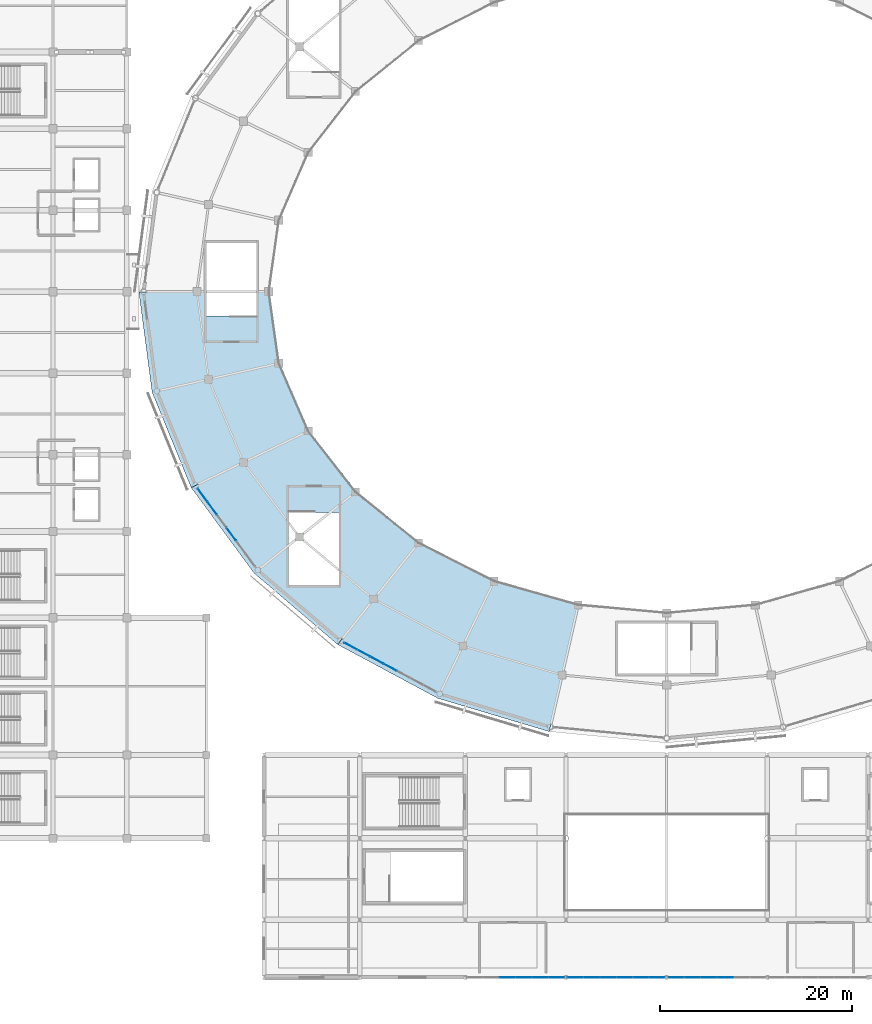
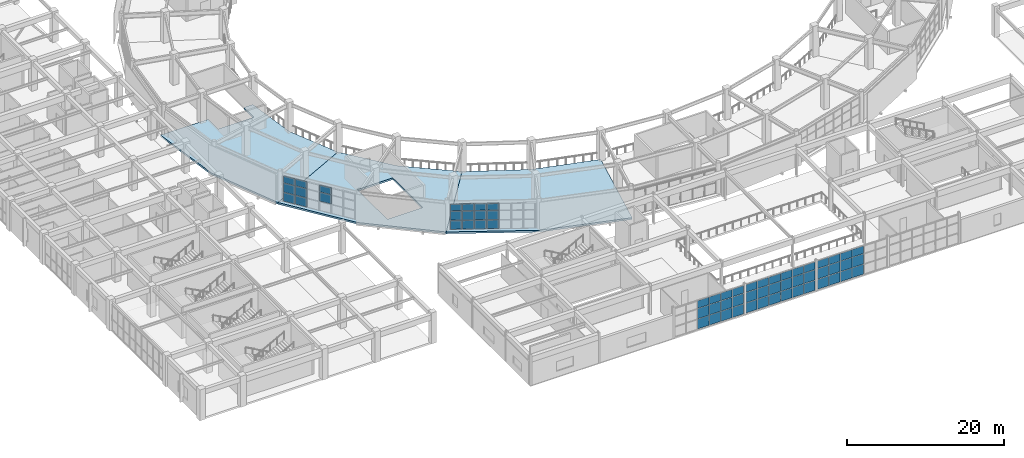
# One storey, part 67 of 112: 62 plates, 3 slabs, 5 elements without a shape of their own.
"""IFC4 building model written with IfcOpenShell, lengths in metres."""

import ifcopenshell
import ifcopenshell.guid

model = None  # the IFC model being written
_history = None  # IfcOwnerHistory: only IFC2X3 demands one
_inside = {}  # id of a spatial element -> (the spatial element, [elements in it])
_under = {}  # id of a project, library or spatial element -> (it, [spatial elements below it])
_declared = {}  # id of a project -> (the project, [libraries it declares])
_typed = {}  # id of a type object -> (the type object, [elements of that type])
_made_of = {}  # id of a material, layer set ... -> (it, [elements and type objects made of it])


def new_model(schema):
    """Start an empty IFC model of exactly this schema.

    Asked for "IFC4X3", IfcOpenShell would pick the latest addendum, in which some entities
    have other attributes; the version numbers below select the first issue.
    IFC2X3 requires an IfcOwnerHistory on every rooted entity: one is made here for all.
    """
    global model, _history
    if schema == "IFC4X3":
        model = ifcopenshell.file(schema_version=(4, 3, 0, 0))
    else:
        model = ifcopenshell.file(schema=schema)
    _inside.clear()
    _under.clear()
    _declared.clear()
    _typed.clear()
    _made_of.clear()
    _history = None
    if model.schema == "IFC2X3":
        org = make("IfcOrganization", Name="unknown")
        user = make(
            "IfcPersonAndOrganization",
            ThePerson=make("IfcPerson", FamilyName="unknown"),
            TheOrganization=org,
        )
        app = make(
            "IfcApplication",
            ApplicationDeveloper=org,
            Version="unknown",
            ApplicationFullName="unknown",
            ApplicationIdentifier="unknown",
        )
        _history = make(
            "IfcOwnerHistory",
            OwningUser=user,
            OwningApplication=app,
            ChangeAction="ADDED",
            CreationDate=0,
        )
    return model


def make(cls, **values):
    """One entity of the class cls with the attributes given. An attribute that is None is left unset."""
    return model.create_entity(
        cls, **{name: value for name, value in values.items() if value is not None}
    )


def rooted(cls, **values):
    """An entity with a GlobalId (a new one), such as an element, a storey or a relation."""
    return make(cls, GlobalId=ifcopenshell.guid.new(), OwnerHistory=_history, **values)


def si_unit(unit_type, name, prefix=None):
    """IfcSIUnit, for example si_unit("LENGTHUNIT", "METRE", prefix="MILLI")."""
    return make("IfcSIUnit", UnitType=unit_type, Prefix=prefix, Name=name)


def assignment(units):
    """IfcUnitAssignment: the units of a project."""
    return None if units is None else make("IfcUnitAssignment", Units=units)


def point(xyz):
    """IfcCartesianPoint."""
    return None if xyz is None else make("IfcCartesianPoint", Coordinates=xyz)


def direction(xyz):
    """IfcDirection."""
    return None if xyz is None else make("IfcDirection", DirectionRatios=xyz)


def frame(location, z_axis=None, x_axis=None):
    """IfcAxis2Placement3D, a coordinate frame: its origin and axes. An axis left out is left unset."""
    return make(
        "IfcAxis2Placement3D",
        Location=point(location),
        Axis=direction(z_axis),
        RefDirection=direction(x_axis),
    )


def frame_2d(location, x_axis=None):
    """IfcAxis2Placement2D, a coordinate frame in the plane: its origin and x axis."""
    return make(
        "IfcAxis2Placement2D", Location=point(location), RefDirection=direction(x_axis)
    )


def origin():
    """The frame at (0, 0, 0) with its axes left unset."""
    return frame((0.0, 0.0, 0.0))


def origin_2d():
    """The frame at (0, 0) in the plane with its x axis left unset."""
    return frame_2d((0.0, 0.0))


def place(relative_to, where):
    """IfcLocalPlacement: puts the frame where relative to a parent placement (None: the world)."""
    return make(
        "IfcLocalPlacement", PlacementRelTo=relative_to, RelativePlacement=where
    )


def context(
    kind, dimensions, precision=None, world=None, true_north=None, identifier=None
):
    """IfcGeometricRepresentationContext, for example the 3D "Model" context."""
    return make(
        "IfcGeometricRepresentationContext",
        ContextIdentifier=identifier,
        ContextType=kind,
        CoordinateSpaceDimension=dimensions,
        Precision=precision,
        WorldCoordinateSystem=world,
        TrueNorth=true_north,
    )


def subcontext(parent, identifier, kind, view, scale=None):
    """IfcGeometricRepresentationSubContext, for example "Body" below "Model"."""
    return make(
        "IfcGeometricRepresentationSubContext",
        ContextIdentifier=identifier,
        ContextType=kind,
        ParentContext=parent,
        TargetScale=scale,
        TargetView=view,
    )


def project(units=None, contexts=None):
    """IfcProject with its units and contexts."""
    return rooted(
        "IfcProject",
        Name="project",
        RepresentationContexts=contexts,
        UnitsInContext=assignment(units),
    )


def spatial(cls, under=None, at=None, **own):
    """A site, building, storey or space (cls), placed at a placement, below another one or the project."""
    s = rooted(cls, ObjectPlacement=at, **own)
    if under is not None:
        _under.setdefault(under.id(), (under, []))[1].append(s)
    return s


def polyline(points):
    """IfcPolyline through the points."""
    return make("IfcPolyline", Points=[point(p) for p in points])


def profile(cls, at=None, kind="AREA", **sizes):
    """A parametric profile (cls). Its sizes go by their IFC names, for example OverallWidth=200.0."""
    return make(cls, ProfileType=kind, Position=at, **sizes)


def rectangle(**sizes):
    """IfcRectangleProfileDef."""
    return profile("IfcRectangleProfileDef", **sizes)


def outline(outer, holes=None, kind="AREA"):
    """IfcArbitraryClosedProfileDef: a profile drawn as a closed curve; with holes, ...WithVoids."""
    if holes is None:
        return make("IfcArbitraryClosedProfileDef", ProfileType=kind, OuterCurve=outer)
    return make(
        "IfcArbitraryProfileDefWithVoids",
        ProfileType=kind,
        OuterCurve=outer,
        InnerCurves=holes,
    )


def extrude(swept, where, along, depth):
    """IfcExtrudedAreaSolid: the profile swept, set in the frame where, extruded along a direction by depth."""
    return make(
        "IfcExtrudedAreaSolid",
        SweptArea=swept,
        Position=where,
        ExtrudedDirection=direction(along),
        Depth=depth,
    )


def shape(context_of_items, identifier, shape_type, items):
    """IfcShapeRepresentation: the items that make up one representation, for example the "Body"."""
    return make(
        "IfcShapeRepresentation",
        ContextOfItems=context_of_items,
        RepresentationIdentifier=identifier,
        RepresentationType=shape_type,
        Items=items,
    )


def material(Name=None, Category=None):
    """IfcMaterial."""
    return make("IfcMaterial", Name=Name, Category=Category)


def layer(
    of_material, thickness, ventilated=None, Name=None, Category=None, Priority=None
):
    """IfcMaterialLayer: one layer of a wall or slab, of a material (None: an air gap)."""
    return make(
        "IfcMaterialLayer",
        Material=of_material,
        LayerThickness=thickness,
        IsVentilated=ventilated,
        Name=Name,
        Category=Category,
        Priority=Priority,
    )


def layer_set(layers, Name=None):
    """IfcMaterialLayerSet."""
    return make("IfcMaterialLayerSet", MaterialLayers=layers, LayerSetName=Name)


def made_of(thing, what):
    """Note that an element or type object is made of a material, layer set ...; save() writes the relation."""
    if what is not None:
        _made_of.setdefault(what.id(), (what, []))[1].append(thing)
    return thing


def type_object(cls, material=None, **own):
    """A type object (cls), such as IfcWallType, which elements share."""
    return made_of(rooted(cls, **own), material)


def element(
    cls,
    number,
    at=None,
    inside=None,
    cuts=None,
    type_object=None,
    material=None,
    context=None,
    identifier="Body",
    shape_type=None,
    held_by="IfcProductDefinitionShape",
    body=None,
    shapes=None,
    **own,
):
    """One element of the class cls, such as IfcWall. Its Tag is "e" and its number.

    at: its placement. inside: the storey or other place that contains it. cuts: it is an
    opening in that element (IfcRelVoidsElement). A single representation is given by context,
    identifier, shape_type and body (its items); several are given by shapes. held_by: the class
    of the entity that holds the representations. save() writes the other relations.
    """
    e = rooted(cls, Tag="e%d" % number, ObjectPlacement=at, **own)
    if body is not None:
        shapes = [shape(context, identifier, shape_type, body)]
    if shapes is not None:
        e.Representation = make(held_by, Representations=shapes)
    if inside is not None:
        _inside.setdefault(inside.id(), (inside, []))[1].append(e)
    if cuts is not None:
        rooted(
            "IfcRelVoidsElement", RelatingBuildingElement=cuts, RelatedOpeningElement=e
        )
    if type_object is not None:
        _typed.setdefault(type_object.id(), (type_object, []))[1].append(e)
    return made_of(e, material)


def aggregate(whole, parts):
    """IfcRelAggregates: a whole, such as a stair, and the parts it consists of."""
    return rooted("IfcRelAggregates", RelatingObject=whole, RelatedObjects=parts)


def save(model, path):
    """Write the relations noted so far, then the file.

    IfcRelAggregates (storeys below a building ...), IfcRelContainedInSpatialStructure (elements
    in a storey), IfcRelDefinesByType, IfcRelAssociatesMaterial and IfcRelDeclares: one each for
    every whole, place, type object, material and project.
    """
    for whole, parts in _under.values():
        aggregate(whole, parts)
    for where, things in _inside.values():
        rooted(
            "IfcRelContainedInSpatialStructure",
            RelatedElements=things,
            RelatingStructure=where,
        )
    for kind, things in _typed.values():
        rooted("IfcRelDefinesByType", RelatedObjects=things, RelatingType=kind)
    for what, things in _made_of.values():
        rooted("IfcRelAssociatesMaterial", RelatedObjects=things, RelatingMaterial=what)
    for by, libraries in _declared.values():
        rooted("IfcRelDeclares", RelatingContext=by, RelatedDefinitions=libraries)
    model.write(path)


model = new_model("IFC4")

# Units and contexts
model_context = context("Model", 3, precision=1e-05, world=origin(), true_north=direction((0.0, 1.0)))
body_context = subcontext(model_context, "Body", "Model", "MODEL_VIEW")
ifc_project = project(units=[si_unit("LENGTHUNIT", "METRE"), si_unit("AREAUNIT", "SQUARE_METRE"), si_unit("VOLUMEUNIT", "CUBIC_METRE"), si_unit("PLANEANGLEUNIT", "RADIAN"), si_unit("MASSUNIT", "GRAM", prefix="KILO")], contexts=[model_context])

# Site, building, storey
site_placement = place(None, origin())
site = spatial("IfcSite", under=ifc_project, at=site_placement, CompositionType="ELEMENT")
building_placement = place(site_placement, origin())
building = spatial("IfcBuilding", under=site, at=building_placement, Name="Cuetzalor Civic Arena", CompositionType="ELEMENT")
storey_placement = place(building_placement, frame((0.0, 0.0, 11.39990234375)))
storey = spatial("IfcBuildingStorey", under=building, at=storey_placement, Name="L02", CompositionType="ELEMENT", Elevation=11.39990234375)

# Curtain wall, plates
ifc_material_1 = material(Name="Anodised dark bronze aluminium and low-E solar glass", Category="aluminium")
curtain_wall_type_1 = type_object("IfcCurtainWallType", Name="UnitisedCW_10150x4050", PredefinedType="USERDEFINED", material=ifc_material_1)
curtain_wall_1_placement = place(storey_placement, origin())
curtain_wall_1 = element("IfcCurtainWall", 1, at=curtain_wall_1_placement, inside=storey, type_object=curtain_wall_type_1, Name="Drum Triangle Foyer Curtain Wall L02-039", ObjectType="UNITISED CURTAIN WALL", PredefinedType="USERDEFINED")
ifc_material_2 = material(Name="Acoustic laminated solar control glass", Category="glass")
ifc_layer_1 = layer(ifc_material_2, 0.0439453125)
ifc_layer_set_1 = layer_set([ifc_layer_1], Name="Acoustic laminated solar control glass")
plate_type_1 = type_object("IfcPlateType", Name="AcousticTripleGlazedPanel_44", PredefinedType="CURTAIN_PANEL", material=ifc_layer_set_1)
plate_1_placement = place(storey_placement, frame((-45.397216796875, -25.291015625, 1.491455078125), z_axis=(0.0, 0.0, 1.0), x_axis=(-0.59292931222, 0.805254513002, 0.0)))
plate_1 = element("IfcPlate", 2, at=plate_1_placement, type_object=plate_type_1, Name="CW-12 panel 3.2", PredefinedType="CURTAIN_PANEL", context=body_context, shape_type="SweptSolid", body=[
    extrude(rectangle(XDim=1.625732421875, YDim=0.0439453125, at=origin_2d()), origin(), (0.0, 0.0, 1.0), 1.39404296875),
])
plate_2_placement = place(storey_placement, frame((-45.397216796875, -25.291015625, 2.950439453125), z_axis=(0.0, 0.0, 1.0), x_axis=(-0.59292931222, 0.805254513002, 0.0)))
plate_2 = element("IfcPlate", 3, at=plate_2_placement, type_object=plate_type_1, Name="CW-12 panel 3.3", PredefinedType="CURTAIN_PANEL", context=body_context, shape_type="SweptSolid", body=[
    extrude(rectangle(XDim=1.625732421875, YDim=0.0439453125, at=origin_2d()), origin(), (0.0, 0.0, 1.0), 1.03759765625),
])
plate_3_placement = place(storey_placement, frame((-47.402099609375, -22.568359375, 0.06494140625), z_axis=(0.0, 0.0, 1.0), x_axis=(-0.59292931222, 0.805254513002, 0.0)))
plate_3 = element("IfcPlate", 4, at=plate_3_placement, type_object=plate_type_1, Name="CW-12 panel 5.1", PredefinedType="CURTAIN_PANEL", context=body_context, shape_type="SweptSolid", body=[
    extrude(rectangle(XDim=1.625732421875, YDim=0.0439453125, at=origin_2d()), origin(), (0.0, 0.0, 1.0), 1.361572265625),
])
plate_4_placement = place(storey_placement, frame((-47.402099609375, -22.568359375, 1.491455078125), z_axis=(0.0, 0.0, 1.0), x_axis=(-0.59292931222, 0.805254513002, 0.0)))
plate_4 = element("IfcPlate", 5, at=plate_4_placement, type_object=plate_type_1, Name="CW-12 panel 5.2", PredefinedType="CURTAIN_PANEL", context=body_context, shape_type="SweptSolid", body=[
    extrude(rectangle(XDim=1.625732421875, YDim=0.0439453125, at=origin_2d()), origin(), (0.0, 0.0, 1.0), 1.39404296875),
])
plate_5_placement = place(storey_placement, frame((-47.402099609375, -22.568359375, 2.950439453125), z_axis=(0.0, 0.0, 1.0), x_axis=(-0.59292931222, 0.805254513002, 0.0)))
plate_5 = element("IfcPlate", 6, at=plate_5_placement, type_object=plate_type_1, Name="CW-12 panel 5.3", PredefinedType="CURTAIN_PANEL", context=body_context, shape_type="SweptSolid", body=[
    extrude(rectangle(XDim=1.625732421875, YDim=0.0439453125, at=origin_2d()), origin(), (0.0, 0.0, 1.0), 1.03759765625),
])
plate_6_placement = place(storey_placement, frame((-48.394775390625, -21.219970703125, 0.06494140625), z_axis=(0.0, 0.0, 1.0), x_axis=(-0.59292931222, 0.805254513002, 0.0)))
plate_6 = element("IfcPlate", 7, at=plate_6_placement, type_object=plate_type_1, Name="CW-12 panel 6.1", PredefinedType="CURTAIN_PANEL", context=body_context, shape_type="SweptSolid", body=[
    extrude(rectangle(XDim=1.59326171875, YDim=0.0439453125, at=origin_2d()), origin(), (0.0, 0.0, 1.0), 1.361572265625),
])
plate_7_placement = place(storey_placement, frame((-48.394775390625, -21.219970703125, 1.491455078125), z_axis=(0.0, 0.0, 1.0), x_axis=(-0.59292931222, 0.805254513002, 0.0)))
plate_7 = element("IfcPlate", 8, at=plate_7_placement, type_object=plate_type_1, Name="CW-12 panel 6.2", PredefinedType="CURTAIN_PANEL", context=body_context, shape_type="SweptSolid", body=[
    extrude(rectangle(XDim=1.59326171875, YDim=0.0439453125, at=origin_2d()), origin(), (0.0, 0.0, 1.0), 1.39404296875),
])
plate_8_placement = place(storey_placement, frame((-48.394775390625, -21.219970703125, 2.950439453125), z_axis=(0.0, 0.0, 1.0), x_axis=(-0.59292931222, 0.805254513002, 0.0)))
plate_8 = element("IfcPlate", 9, at=plate_8_placement, type_object=plate_type_1, Name="CW-12 panel 6.3", PredefinedType="CURTAIN_PANEL", context=body_context, shape_type="SweptSolid", body=[
    extrude(rectangle(XDim=1.59326171875, YDim=0.0439453125, at=origin_2d()), origin(), (0.0, 0.0, 1.0), 1.03759765625),
])
aggregate(curtain_wall_1, [plate_1, plate_2, plate_3, plate_4, plate_5, plate_6, plate_7, plate_8])

ifc_material_3 = material(Name="Anodised dark bronze aluminium and low-E solar glass", Category="aluminium")
curtain_wall_type_2 = type_object("IfcCurtainWallType", Name="UnitisedCW_10950x4050", PredefinedType="USERDEFINED", material=ifc_material_3)
curtain_wall_2_placement = place(storey_placement, origin())
curtain_wall_2 = element("IfcCurtainWall", 10, at=curtain_wall_2_placement, inside=storey, type_object=curtain_wall_type_2, Name="Drum Triangle Foyer Curtain Wall L02-040", ObjectType="UNITISED CURTAIN WALL", PredefinedType="USERDEFINED")
plate_9_placement = place(storey_placement, frame((-28.83984375, -39.167236328125, 0.06494140625), z_axis=(0.0, 0.0, 1.0), x_axis=(-0.881306344124, 0.472545371163, 0.0)))
plate_9 = element("IfcPlate", 11, at=plate_9_placement, type_object=plate_type_1, Name="CW-13 panel 4.1", PredefinedType="CURTAIN_PANEL", context=body_context, shape_type="SweptSolid", body=[
    extrude(rectangle(XDim=1.498779296875, YDim=0.0439453125, at=origin_2d()), origin(), (0.0, 0.0, 1.0), 1.361572265625),
])
plate_10_placement = place(storey_placement, frame((-28.83984375, -39.167236328125, 1.491455078125), z_axis=(0.0, 0.0, 1.0), x_axis=(-0.881306344124, 0.472545371163, 0.0)))
plate_10 = element("IfcPlate", 12, at=plate_10_placement, type_object=plate_type_1, Name="CW-13 panel 4.2", PredefinedType="CURTAIN_PANEL", context=body_context, shape_type="SweptSolid", body=[
    extrude(rectangle(XDim=1.498779296875, YDim=0.0439453125, at=origin_2d()), origin(), (0.0, 0.0, 1.0), 1.39404296875),
])
plate_11_placement = place(storey_placement, frame((-28.83984375, -39.167236328125, 2.950439453125), z_axis=(0.0, 0.0, 1.0), x_axis=(-0.881306344124, 0.472545371163, 0.0)))
plate_11 = element("IfcPlate", 13, at=plate_11_placement, type_object=plate_type_1, Name="CW-13 panel 4.3", PredefinedType="CURTAIN_PANEL", context=body_context, shape_type="SweptSolid", body=[
    extrude(rectangle(XDim=1.498779296875, YDim=0.0439453125, at=origin_2d()), origin(), (0.0, 0.0, 1.0), 1.03759765625),
])
plate_12_placement = place(storey_placement, frame((-30.218017578125, -38.42822265625, 0.06494140625), z_axis=(0.0, 0.0, 1.0), x_axis=(-0.881306344124, 0.472545371163, 0.0)))
plate_12 = element("IfcPlate", 14, at=plate_12_placement, type_object=plate_type_1, Name="CW-13 panel 5.1", PredefinedType="CURTAIN_PANEL", context=body_context, shape_type="SweptSolid", body=[
    extrude(rectangle(XDim=1.498779296875, YDim=0.0439453125, at=origin_2d()), origin(), (0.0, 0.0, 1.0), 1.361572265625),
])
plate_13_placement = place(storey_placement, frame((-30.218017578125, -38.42822265625, 1.491455078125), z_axis=(0.0, 0.0, 1.0), x_axis=(-0.881306344124, 0.472545371163, 0.0)))
plate_13 = element("IfcPlate", 15, at=plate_13_placement, type_object=plate_type_1, Name="CW-13 panel 5.2", PredefinedType="CURTAIN_PANEL", context=body_context, shape_type="SweptSolid", body=[
    extrude(rectangle(XDim=1.498779296875, YDim=0.0439453125, at=origin_2d()), origin(), (0.0, 0.0, 1.0), 1.39404296875),
])
plate_14_placement = place(storey_placement, frame((-30.218017578125, -38.42822265625, 2.950439453125), z_axis=(0.0, 0.0, 1.0), x_axis=(-0.881306344124, 0.472545371163, 0.0)))
plate_14 = element("IfcPlate", 16, at=plate_14_placement, type_object=plate_type_1, Name="CW-13 panel 5.3", PredefinedType="CURTAIN_PANEL", context=body_context, shape_type="SweptSolid", body=[
    extrude(rectangle(XDim=1.498779296875, YDim=0.0439453125, at=origin_2d()), origin(), (0.0, 0.0, 1.0), 1.03759765625),
])
plate_15_placement = place(storey_placement, frame((-31.59619140625, -37.689208984375, 0.06494140625), z_axis=(0.0, 0.0, 1.0), x_axis=(-0.881306344124, 0.472545371163, 0.0)))
plate_15 = element("IfcPlate", 17, at=plate_15_placement, type_object=plate_type_1, Name="CW-13 panel 6.1", PredefinedType="CURTAIN_PANEL", context=body_context, shape_type="SweptSolid", body=[
    extrude(rectangle(XDim=1.498779296875, YDim=0.0439453125, at=origin_2d()), origin(), (0.0, 0.0, 1.0), 1.361572265625),
])
plate_16_placement = place(storey_placement, frame((-31.59619140625, -37.689208984375, 1.491455078125), z_axis=(0.0, 0.0, 1.0), x_axis=(-0.881306344124, 0.472545371163, 0.0)))
plate_16 = element("IfcPlate", 18, at=plate_16_placement, type_object=plate_type_1, Name="CW-13 panel 6.2", PredefinedType="CURTAIN_PANEL", context=body_context, shape_type="SweptSolid", body=[
    extrude(rectangle(XDim=1.498779296875, YDim=0.0439453125, at=origin_2d()), origin(), (0.0, 0.0, 1.0), 1.39404296875),
])
plate_17_placement = place(storey_placement, frame((-31.59619140625, -37.689208984375, 2.950439453125), z_axis=(0.0, 0.0, 1.0), x_axis=(-0.881306344124, 0.472545371163, 0.0)))
plate_17 = element("IfcPlate", 19, at=plate_17_placement, type_object=plate_type_1, Name="CW-13 panel 6.3", PredefinedType="CURTAIN_PANEL", context=body_context, shape_type="SweptSolid", body=[
    extrude(rectangle(XDim=1.498779296875, YDim=0.0439453125, at=origin_2d()), origin(), (0.0, 0.0, 1.0), 1.03759765625),
])
plate_18_placement = place(storey_placement, frame((-32.9599609375, -36.9580078125, 0.06494140625), z_axis=(0.0, 0.0, 1.0), x_axis=(-0.881306344124, 0.472545371163, 0.0)))
plate_18 = element("IfcPlate", 20, at=plate_18_placement, type_object=plate_type_1, Name="CW-13 panel 7.1", PredefinedType="CURTAIN_PANEL", context=body_context, shape_type="SweptSolid", body=[
    extrude(rectangle(XDim=1.46630859375, YDim=0.0439453125, at=origin_2d()), origin(), (0.0, 0.0, 1.0), 1.361572265625),
])
plate_19_placement = place(storey_placement, frame((-32.9599609375, -36.9580078125, 1.491455078125), z_axis=(0.0, 0.0, 1.0), x_axis=(-0.881306344124, 0.472545371163, 0.0)))
plate_19 = element("IfcPlate", 21, at=plate_19_placement, type_object=plate_type_1, Name="CW-13 panel 7.2", PredefinedType="CURTAIN_PANEL", context=body_context, shape_type="SweptSolid", body=[
    extrude(rectangle(XDim=1.46630859375, YDim=0.0439453125, at=origin_2d()), origin(), (0.0, 0.0, 1.0), 1.39404296875),
])
plate_20_placement = place(storey_placement, frame((-32.9599609375, -36.9580078125, 2.950439453125), z_axis=(0.0, 0.0, 1.0), x_axis=(-0.881306344124, 0.472545371163, 0.0)))
plate_20 = element("IfcPlate", 22, at=plate_20_placement, type_object=plate_type_1, Name="CW-13 panel 7.3", PredefinedType="CURTAIN_PANEL", context=body_context, shape_type="SweptSolid", body=[
    extrude(rectangle(XDim=1.46630859375, YDim=0.0439453125, at=origin_2d()), origin(), (0.0, 0.0, 1.0), 1.03759765625),
])
aggregate(curtain_wall_2, [plate_9, plate_10, plate_11, plate_12, plate_13, plate_14, plate_15, plate_16, plate_17, plate_18, plate_19, plate_20])

ifc_material_4 = material(Name="Anodised dark bronze aluminium and low-E solar glass", Category="aluminium")
curtain_wall_type_3 = type_object("IfcCurtainWallType", Name="StickCW_10250x4500", PredefinedType="USERDEFINED", material=ifc_material_4)
curtain_wall_3_placement = place(storey_placement, origin())
curtain_wall_3 = element("IfcCurtainWall", 23, at=curtain_wall_3_placement, inside=storey, type_object=curtain_wall_type_3, Name="South Civic Square Curtain Wall L02-087", ObjectType="STICK CURTAIN WALL", PredefinedType="USERDEFINED")
ifc_material_5 = material(Name="Low-E laminated solar control glass", Category="glass")
ifc_layer_2 = layer(ifc_material_5, 0.031982421875)
ifc_layer_set_2 = layer_set([ifc_layer_2], Name="Low-E laminated solar control glass")
plate_type_2 = type_object("IfcPlateType", Name="SolarControlGlazedPanel_32", PredefinedType="CURTAIN_PANEL", material=ifc_layer_set_2)
plate_21_placement = place(storey_placement, frame((-11.4951171875, -71.5, 0.06494140625), z_axis=(0.0, 0.0, 1.0), x_axis=(-1.0, 0.0, 0.0)))
plate_21 = element("IfcPlate", 24, at=plate_21_placement, type_object=plate_type_2, Name="CW-27 panel 1.1", PredefinedType="CURTAIN_PANEL", context=body_context, shape_type="SweptSolid", body=[
    extrude(rectangle(XDim=1.611083984375, YDim=0.031982421875, at=origin_2d()), origin(), (0.0, 0.0, 1.0), 1.529541015625),
])
plate_22_placement = place(storey_placement, frame((-11.4951171875, -71.5, 1.65966796875), z_axis=(0.0, 0.0, 1.0), x_axis=(-1.0, 0.0, 0.0)))
plate_22 = element("IfcPlate", 25, at=plate_22_placement, type_object=plate_type_2, Name="CW-27 panel 1.2", PredefinedType="CURTAIN_PANEL", context=body_context, shape_type="SweptSolid", body=[
    extrude(rectangle(XDim=1.611083984375, YDim=0.031982421875, at=origin_2d()), origin(), (0.0, 0.0, 1.0), 1.56201171875),
])
plate_23_placement = place(storey_placement, frame((-11.4951171875, -71.5, 3.28662109375), z_axis=(0.0, 0.0, 1.0), x_axis=(-1.0, 0.0, 0.0)))
plate_23 = element("IfcPlate", 26, at=plate_23_placement, type_object=plate_type_2, Name="CW-27 panel 1.3", PredefinedType="CURTAIN_PANEL", context=body_context, shape_type="SweptSolid", body=[
    extrude(rectangle(XDim=1.611083984375, YDim=0.031982421875, at=origin_2d()), origin(), (0.0, 0.0, 1.0), 1.16845703125),
])
plate_24_placement = place(storey_placement, frame((-13.187255859375, -71.5, 0.06494140625), z_axis=(0.0, 0.0, 1.0), x_axis=(-1.0, 0.0, 0.0)))
plate_24 = element("IfcPlate", 27, at=plate_24_placement, type_object=plate_type_2, Name="CW-27 panel 2.1", PredefinedType="CURTAIN_PANEL", context=body_context, shape_type="SweptSolid", body=[
    extrude(rectangle(XDim=1.6435546875, YDim=0.031982421875, at=origin_2d()), origin(), (0.0, 0.0, 1.0), 1.529541015625),
])
plate_25_placement = place(storey_placement, frame((-13.187255859375, -71.5, 1.65966796875), z_axis=(0.0, 0.0, 1.0), x_axis=(-1.0, 0.0, 0.0)))
plate_25 = element("IfcPlate", 28, at=plate_25_placement, type_object=plate_type_2, Name="CW-27 panel 2.2", PredefinedType="CURTAIN_PANEL", context=body_context, shape_type="SweptSolid", body=[
    extrude(rectangle(XDim=1.6435546875, YDim=0.031982421875, at=origin_2d()), origin(), (0.0, 0.0, 1.0), 1.56201171875),
])
plate_26_placement = place(storey_placement, frame((-13.187255859375, -71.5, 3.28662109375), z_axis=(0.0, 0.0, 1.0), x_axis=(-1.0, 0.0, 0.0)))
plate_26 = element("IfcPlate", 29, at=plate_26_placement, type_object=plate_type_2, Name="CW-27 panel 2.3", PredefinedType="CURTAIN_PANEL", context=body_context, shape_type="SweptSolid", body=[
    extrude(rectangle(XDim=1.6435546875, YDim=0.031982421875, at=origin_2d()), origin(), (0.0, 0.0, 1.0), 1.16845703125),
])
plate_27_placement = place(storey_placement, frame((-14.895751953125, -71.5, 0.06494140625), z_axis=(0.0, 0.0, 1.0), x_axis=(-1.0, 0.0, 0.0)))
plate_27 = element("IfcPlate", 30, at=plate_27_placement, type_object=plate_type_2, Name="CW-27 panel 3.1", PredefinedType="CURTAIN_PANEL", context=body_context, shape_type="SweptSolid", body=[
    extrude(rectangle(XDim=1.6435546875, YDim=0.031982421875, at=origin_2d()), origin(), (0.0, 0.0, 1.0), 1.529541015625),
])
plate_28_placement = place(storey_placement, frame((-14.895751953125, -71.5, 1.65966796875), z_axis=(0.0, 0.0, 1.0), x_axis=(-1.0, 0.0, 0.0)))
plate_28 = element("IfcPlate", 31, at=plate_28_placement, type_object=plate_type_2, Name="CW-27 panel 3.2", PredefinedType="CURTAIN_PANEL", context=body_context, shape_type="SweptSolid", body=[
    extrude(rectangle(XDim=1.6435546875, YDim=0.031982421875, at=origin_2d()), origin(), (0.0, 0.0, 1.0), 1.56201171875),
])
plate_29_placement = place(storey_placement, frame((-14.895751953125, -71.5, 3.28662109375), z_axis=(0.0, 0.0, 1.0), x_axis=(-1.0, 0.0, 0.0)))
plate_29 = element("IfcPlate", 32, at=plate_29_placement, type_object=plate_type_2, Name="CW-27 panel 3.3", PredefinedType="CURTAIN_PANEL", context=body_context, shape_type="SweptSolid", body=[
    extrude(rectangle(XDim=1.6435546875, YDim=0.031982421875, at=origin_2d()), origin(), (0.0, 0.0, 1.0), 1.16845703125),
])
plate_30_placement = place(storey_placement, frame((-16.604248046875, -71.5, 0.06494140625), z_axis=(0.0, 0.0, 1.0), x_axis=(-1.0, 0.0, 0.0)))
plate_30 = element("IfcPlate", 33, at=plate_30_placement, type_object=plate_type_2, Name="CW-27 panel 4.1", PredefinedType="CURTAIN_PANEL", context=body_context, shape_type="SweptSolid", body=[
    extrude(rectangle(XDim=1.6435546875, YDim=0.031982421875, at=origin_2d()), origin(), (0.0, 0.0, 1.0), 1.529541015625),
])
plate_31_placement = place(storey_placement, frame((-16.604248046875, -71.5, 1.65966796875), z_axis=(0.0, 0.0, 1.0), x_axis=(-1.0, 0.0, 0.0)))
plate_31 = element("IfcPlate", 34, at=plate_31_placement, type_object=plate_type_2, Name="CW-27 panel 4.2", PredefinedType="CURTAIN_PANEL", context=body_context, shape_type="SweptSolid", body=[
    extrude(rectangle(XDim=1.6435546875, YDim=0.031982421875, at=origin_2d()), origin(), (0.0, 0.0, 1.0), 1.56201171875),
])
plate_32_placement = place(storey_placement, frame((-16.604248046875, -71.5, 3.28662109375), z_axis=(0.0, 0.0, 1.0), x_axis=(-1.0, 0.0, 0.0)))
plate_32 = element("IfcPlate", 35, at=plate_32_placement, type_object=plate_type_2, Name="CW-27 panel 4.3", PredefinedType="CURTAIN_PANEL", context=body_context, shape_type="SweptSolid", body=[
    extrude(rectangle(XDim=1.6435546875, YDim=0.031982421875, at=origin_2d()), origin(), (0.0, 0.0, 1.0), 1.16845703125),
])
aggregate(curtain_wall_3, [plate_21, plate_22, plate_23, plate_24, plate_25, plate_26, plate_27, plate_28, plate_29, plate_30, plate_31, plate_32])

curtain_wall_4_placement = place(storey_placement, origin())
curtain_wall_4 = element("IfcCurtainWall", 36, at=curtain_wall_4_placement, inside=storey, type_object=curtain_wall_type_3, Name="South Civic Square Curtain Wall L02-088", ObjectType="STICK CURTAIN WALL", PredefinedType="USERDEFINED")
plate_33_placement = place(storey_placement, frame((-0.9951171875, -71.5, 0.06494140625), z_axis=(0.0, 0.0, 1.0), x_axis=(-1.0, 0.0, 0.0)))
plate_33 = element("IfcPlate", 37, at=plate_33_placement, type_object=plate_type_2, Name="CW-27 panel 1.1", PredefinedType="CURTAIN_PANEL", context=body_context, shape_type="SweptSolid", body=[
    extrude(rectangle(XDim=1.611083984375, YDim=0.031982421875, at=origin_2d()), origin(), (0.0, 0.0, 1.0), 1.529541015625),
])
plate_34_placement = place(storey_placement, frame((-0.9951171875, -71.5, 1.65966796875), z_axis=(0.0, 0.0, 1.0), x_axis=(-1.0, 0.0, 0.0)))
plate_34 = element("IfcPlate", 38, at=plate_34_placement, type_object=plate_type_2, Name="CW-27 panel 1.2", PredefinedType="CURTAIN_PANEL", context=body_context, shape_type="SweptSolid", body=[
    extrude(rectangle(XDim=1.611083984375, YDim=0.031982421875, at=origin_2d()), origin(), (0.0, 0.0, 1.0), 1.56201171875),
])
plate_35_placement = place(storey_placement, frame((-0.9951171875, -71.5, 3.28662109375), z_axis=(0.0, 0.0, 1.0), x_axis=(-1.0, 0.0, 0.0)))
plate_35 = element("IfcPlate", 39, at=plate_35_placement, type_object=plate_type_2, Name="CW-27 panel 1.3", PredefinedType="CURTAIN_PANEL", context=body_context, shape_type="SweptSolid", body=[
    extrude(rectangle(XDim=1.611083984375, YDim=0.031982421875, at=origin_2d()), origin(), (0.0, 0.0, 1.0), 1.16845703125),
])
plate_36_placement = place(storey_placement, frame((-2.687255859375, -71.5, 0.06494140625), z_axis=(0.0, 0.0, 1.0), x_axis=(-1.0, 0.0, 0.0)))
plate_36 = element("IfcPlate", 40, at=plate_36_placement, type_object=plate_type_2, Name="CW-27 panel 2.1", PredefinedType="CURTAIN_PANEL", context=body_context, shape_type="SweptSolid", body=[
    extrude(rectangle(XDim=1.6435546875, YDim=0.031982421875, at=origin_2d()), origin(), (0.0, 0.0, 1.0), 1.529541015625),
])
plate_37_placement = place(storey_placement, frame((-2.687255859375, -71.5, 1.65966796875), z_axis=(0.0, 0.0, 1.0), x_axis=(-1.0, 0.0, 0.0)))
plate_37 = element("IfcPlate", 41, at=plate_37_placement, type_object=plate_type_2, Name="CW-27 panel 2.2", PredefinedType="CURTAIN_PANEL", context=body_context, shape_type="SweptSolid", body=[
    extrude(rectangle(XDim=1.6435546875, YDim=0.031982421875, at=origin_2d()), origin(), (0.0, 0.0, 1.0), 1.56201171875),
])
plate_38_placement = place(storey_placement, frame((-2.687255859375, -71.5, 3.28662109375), z_axis=(0.0, 0.0, 1.0), x_axis=(-1.0, 0.0, 0.0)))
plate_38 = element("IfcPlate", 42, at=plate_38_placement, type_object=plate_type_2, Name="CW-27 panel 2.3", PredefinedType="CURTAIN_PANEL", context=body_context, shape_type="SweptSolid", body=[
    extrude(rectangle(XDim=1.6435546875, YDim=0.031982421875, at=origin_2d()), origin(), (0.0, 0.0, 1.0), 1.16845703125),
])
plate_39_placement = place(storey_placement, frame((-4.395751953125, -71.5, 0.06494140625), z_axis=(0.0, 0.0, 1.0), x_axis=(-1.0, 0.0, 0.0)))
plate_39 = element("IfcPlate", 43, at=plate_39_placement, type_object=plate_type_2, Name="CW-27 panel 3.1", PredefinedType="CURTAIN_PANEL", context=body_context, shape_type="SweptSolid", body=[
    extrude(rectangle(XDim=1.6435546875, YDim=0.031982421875, at=origin_2d()), origin(), (0.0, 0.0, 1.0), 1.529541015625),
])
plate_40_placement = place(storey_placement, frame((-4.395751953125, -71.5, 1.65966796875), z_axis=(0.0, 0.0, 1.0), x_axis=(-1.0, 0.0, 0.0)))
plate_40 = element("IfcPlate", 44, at=plate_40_placement, type_object=plate_type_2, Name="CW-27 panel 3.2", PredefinedType="CURTAIN_PANEL", context=body_context, shape_type="SweptSolid", body=[
    extrude(rectangle(XDim=1.6435546875, YDim=0.031982421875, at=origin_2d()), origin(), (0.0, 0.0, 1.0), 1.56201171875),
])
plate_41_placement = place(storey_placement, frame((-4.395751953125, -71.5, 3.28662109375), z_axis=(0.0, 0.0, 1.0), x_axis=(-1.0, 0.0, 0.0)))
plate_41 = element("IfcPlate", 45, at=plate_41_placement, type_object=plate_type_2, Name="CW-27 panel 3.3", PredefinedType="CURTAIN_PANEL", context=body_context, shape_type="SweptSolid", body=[
    extrude(rectangle(XDim=1.6435546875, YDim=0.031982421875, at=origin_2d()), origin(), (0.0, 0.0, 1.0), 1.16845703125),
])
plate_42_placement = place(storey_placement, frame((-6.104248046875, -71.5, 0.06494140625), z_axis=(0.0, 0.0, 1.0), x_axis=(-1.0, 0.0, 0.0)))
plate_42 = element("IfcPlate", 46, at=plate_42_placement, type_object=plate_type_2, Name="CW-27 panel 4.1", PredefinedType="CURTAIN_PANEL", context=body_context, shape_type="SweptSolid", body=[
    extrude(rectangle(XDim=1.6435546875, YDim=0.031982421875, at=origin_2d()), origin(), (0.0, 0.0, 1.0), 1.529541015625),
])
plate_43_placement = place(storey_placement, frame((-6.104248046875, -71.5, 1.65966796875), z_axis=(0.0, 0.0, 1.0), x_axis=(-1.0, 0.0, 0.0)))
plate_43 = element("IfcPlate", 47, at=plate_43_placement, type_object=plate_type_2, Name="CW-27 panel 4.2", PredefinedType="CURTAIN_PANEL", context=body_context, shape_type="SweptSolid", body=[
    extrude(rectangle(XDim=1.6435546875, YDim=0.031982421875, at=origin_2d()), origin(), (0.0, 0.0, 1.0), 1.56201171875),
])
plate_44_placement = place(storey_placement, frame((-6.104248046875, -71.5, 3.28662109375), z_axis=(0.0, 0.0, 1.0), x_axis=(-1.0, 0.0, 0.0)))
plate_44 = element("IfcPlate", 48, at=plate_44_placement, type_object=plate_type_2, Name="CW-27 panel 4.3", PredefinedType="CURTAIN_PANEL", context=body_context, shape_type="SweptSolid", body=[
    extrude(rectangle(XDim=1.6435546875, YDim=0.031982421875, at=origin_2d()), origin(), (0.0, 0.0, 1.0), 1.16845703125),
])
plate_45_placement = place(storey_placement, frame((-7.812744140625, -71.5, 0.06494140625), z_axis=(0.0, 0.0, 1.0), x_axis=(-1.0, 0.0, 0.0)))
plate_45 = element("IfcPlate", 49, at=plate_45_placement, type_object=plate_type_2, Name="CW-27 panel 5.1", PredefinedType="CURTAIN_PANEL", context=body_context, shape_type="SweptSolid", body=[
    extrude(rectangle(XDim=1.6435546875, YDim=0.031982421875, at=origin_2d()), origin(), (0.0, 0.0, 1.0), 1.529541015625),
])
plate_46_placement = place(storey_placement, frame((-7.812744140625, -71.5, 1.65966796875), z_axis=(0.0, 0.0, 1.0), x_axis=(-1.0, 0.0, 0.0)))
plate_46 = element("IfcPlate", 50, at=plate_46_placement, type_object=plate_type_2, Name="CW-27 panel 5.2", PredefinedType="CURTAIN_PANEL", context=body_context, shape_type="SweptSolid", body=[
    extrude(rectangle(XDim=1.6435546875, YDim=0.031982421875, at=origin_2d()), origin(), (0.0, 0.0, 1.0), 1.56201171875),
])
plate_47_placement = place(storey_placement, frame((-7.812744140625, -71.5, 3.28662109375), z_axis=(0.0, 0.0, 1.0), x_axis=(-1.0, 0.0, 0.0)))
plate_47 = element("IfcPlate", 51, at=plate_47_placement, type_object=plate_type_2, Name="CW-27 panel 5.3", PredefinedType="CURTAIN_PANEL", context=body_context, shape_type="SweptSolid", body=[
    extrude(rectangle(XDim=1.6435546875, YDim=0.031982421875, at=origin_2d()), origin(), (0.0, 0.0, 1.0), 1.16845703125),
])
plate_48_placement = place(storey_placement, frame((-9.5048828125, -71.5, 0.06494140625), z_axis=(0.0, 0.0, 1.0), x_axis=(-1.0, 0.0, 0.0)))
plate_48 = element("IfcPlate", 52, at=plate_48_placement, type_object=plate_type_2, Name="CW-27 panel 6.1", PredefinedType="CURTAIN_PANEL", context=body_context, shape_type="SweptSolid", body=[
    extrude(rectangle(XDim=1.611083984375, YDim=0.031982421875, at=origin_2d()), origin(), (0.0, 0.0, 1.0), 1.529541015625),
])
plate_49_placement = place(storey_placement, frame((-9.5048828125, -71.5, 1.65966796875), z_axis=(0.0, 0.0, 1.0), x_axis=(-1.0, 0.0, 0.0)))
plate_49 = element("IfcPlate", 53, at=plate_49_placement, type_object=plate_type_2, Name="CW-27 panel 6.2", PredefinedType="CURTAIN_PANEL", context=body_context, shape_type="SweptSolid", body=[
    extrude(rectangle(XDim=1.611083984375, YDim=0.031982421875, at=origin_2d()), origin(), (0.0, 0.0, 1.0), 1.56201171875),
])
plate_50_placement = place(storey_placement, frame((-9.5048828125, -71.5, 3.28662109375), z_axis=(0.0, 0.0, 1.0), x_axis=(-1.0, 0.0, 0.0)))
plate_50 = element("IfcPlate", 54, at=plate_50_placement, type_object=plate_type_2, Name="CW-27 panel 6.3", PredefinedType="CURTAIN_PANEL", context=body_context, shape_type="SweptSolid", body=[
    extrude(rectangle(XDim=1.611083984375, YDim=0.031982421875, at=origin_2d()), origin(), (0.0, 0.0, 1.0), 1.16845703125),
])
aggregate(curtain_wall_4, [plate_33, plate_34, plate_35, plate_36, plate_37, plate_38, plate_39, plate_40, plate_41, plate_42, plate_43, plate_44, plate_45, plate_46, plate_47, plate_48, plate_49, plate_50])

curtain_wall_5_placement = place(storey_placement, origin())
curtain_wall_5 = element("IfcCurtainWall", 55, at=curtain_wall_5_placement, inside=storey, type_object=curtain_wall_type_3, Name="South Civic Square Curtain Wall L02-089", ObjectType="STICK CURTAIN WALL", PredefinedType="USERDEFINED")
plate_51_placement = place(storey_placement, frame((6.104248046875, -71.5, 0.06494140625), z_axis=(0.0, 0.0, 1.0), x_axis=(-1.0, 0.0, 0.0)))
plate_51 = element("IfcPlate", 56, at=plate_51_placement, type_object=plate_type_2, Name="CW-27 panel 3.1", PredefinedType="CURTAIN_PANEL", context=body_context, shape_type="SweptSolid", body=[
    extrude(rectangle(XDim=1.6435546875, YDim=0.031982421875, at=origin_2d()), origin(), (0.0, 0.0, 1.0), 1.529541015625),
])
plate_52_placement = place(storey_placement, frame((6.104248046875, -71.5, 1.65966796875), z_axis=(0.0, 0.0, 1.0), x_axis=(-1.0, 0.0, 0.0)))
plate_52 = element("IfcPlate", 57, at=plate_52_placement, type_object=plate_type_2, Name="CW-27 panel 3.2", PredefinedType="CURTAIN_PANEL", context=body_context, shape_type="SweptSolid", body=[
    extrude(rectangle(XDim=1.6435546875, YDim=0.031982421875, at=origin_2d()), origin(), (0.0, 0.0, 1.0), 1.56201171875),
])
plate_53_placement = place(storey_placement, frame((6.104248046875, -71.5, 3.28662109375), z_axis=(0.0, 0.0, 1.0), x_axis=(-1.0, 0.0, 0.0)))
plate_53 = element("IfcPlate", 58, at=plate_53_placement, type_object=plate_type_2, Name="CW-27 panel 3.3", PredefinedType="CURTAIN_PANEL", context=body_context, shape_type="SweptSolid", body=[
    extrude(rectangle(XDim=1.6435546875, YDim=0.031982421875, at=origin_2d()), origin(), (0.0, 0.0, 1.0), 1.16845703125),
])
plate_54_placement = place(storey_placement, frame((4.395751953125, -71.5, 0.06494140625), z_axis=(0.0, 0.0, 1.0), x_axis=(-1.0, 0.0, 0.0)))
plate_54 = element("IfcPlate", 59, at=plate_54_placement, type_object=plate_type_2, Name="CW-27 panel 4.1", PredefinedType="CURTAIN_PANEL", context=body_context, shape_type="SweptSolid", body=[
    extrude(rectangle(XDim=1.6435546875, YDim=0.031982421875, at=origin_2d()), origin(), (0.0, 0.0, 1.0), 1.529541015625),
])
plate_55_placement = place(storey_placement, frame((4.395751953125, -71.5, 1.65966796875), z_axis=(0.0, 0.0, 1.0), x_axis=(-1.0, 0.0, 0.0)))
plate_55 = element("IfcPlate", 60, at=plate_55_placement, type_object=plate_type_2, Name="CW-27 panel 4.2", PredefinedType="CURTAIN_PANEL", context=body_context, shape_type="SweptSolid", body=[
    extrude(rectangle(XDim=1.6435546875, YDim=0.031982421875, at=origin_2d()), origin(), (0.0, 0.0, 1.0), 1.56201171875),
])
plate_56_placement = place(storey_placement, frame((4.395751953125, -71.5, 3.28662109375), z_axis=(0.0, 0.0, 1.0), x_axis=(-1.0, 0.0, 0.0)))
plate_56 = element("IfcPlate", 61, at=plate_56_placement, type_object=plate_type_2, Name="CW-27 panel 4.3", PredefinedType="CURTAIN_PANEL", context=body_context, shape_type="SweptSolid", body=[
    extrude(rectangle(XDim=1.6435546875, YDim=0.031982421875, at=origin_2d()), origin(), (0.0, 0.0, 1.0), 1.16845703125),
])
plate_57_placement = place(storey_placement, frame((2.687255859375, -71.5, 0.06494140625), z_axis=(0.0, 0.0, 1.0), x_axis=(-1.0, 0.0, 0.0)))
plate_57 = element("IfcPlate", 62, at=plate_57_placement, type_object=plate_type_2, Name="CW-27 panel 5.1", PredefinedType="CURTAIN_PANEL", context=body_context, shape_type="SweptSolid", body=[
    extrude(rectangle(XDim=1.6435546875, YDim=0.031982421875, at=origin_2d()), origin(), (0.0, 0.0, 1.0), 1.529541015625),
])
plate_58_placement = place(storey_placement, frame((2.687255859375, -71.5, 1.65966796875), z_axis=(0.0, 0.0, 1.0), x_axis=(-1.0, 0.0, 0.0)))
plate_58 = element("IfcPlate", 63, at=plate_58_placement, type_object=plate_type_2, Name="CW-27 panel 5.2", PredefinedType="CURTAIN_PANEL", context=body_context, shape_type="SweptSolid", body=[
    extrude(rectangle(XDim=1.6435546875, YDim=0.031982421875, at=origin_2d()), origin(), (0.0, 0.0, 1.0), 1.56201171875),
])
plate_59_placement = place(storey_placement, frame((2.687255859375, -71.5, 3.28662109375), z_axis=(0.0, 0.0, 1.0), x_axis=(-1.0, 0.0, 0.0)))
plate_59 = element("IfcPlate", 64, at=plate_59_placement, type_object=plate_type_2, Name="CW-27 panel 5.3", PredefinedType="CURTAIN_PANEL", context=body_context, shape_type="SweptSolid", body=[
    extrude(rectangle(XDim=1.6435546875, YDim=0.031982421875, at=origin_2d()), origin(), (0.0, 0.0, 1.0), 1.16845703125),
])
plate_60_placement = place(storey_placement, frame((0.9951171875, -71.5, 0.06494140625), z_axis=(0.0, 0.0, 1.0), x_axis=(-1.0, 0.0, 0.0)))
plate_60 = element("IfcPlate", 65, at=plate_60_placement, type_object=plate_type_2, Name="CW-27 panel 6.1", PredefinedType="CURTAIN_PANEL", context=body_context, shape_type="SweptSolid", body=[
    extrude(rectangle(XDim=1.611083984375, YDim=0.031982421875, at=origin_2d()), origin(), (0.0, 0.0, 1.0), 1.529541015625),
])
plate_61_placement = place(storey_placement, frame((0.9951171875, -71.5, 1.65966796875), z_axis=(0.0, 0.0, 1.0), x_axis=(-1.0, 0.0, 0.0)))
plate_61 = element("IfcPlate", 66, at=plate_61_placement, type_object=plate_type_2, Name="CW-27 panel 6.2", PredefinedType="CURTAIN_PANEL", context=body_context, shape_type="SweptSolid", body=[
    extrude(rectangle(XDim=1.611083984375, YDim=0.031982421875, at=origin_2d()), origin(), (0.0, 0.0, 1.0), 1.56201171875),
])
plate_62_placement = place(storey_placement, frame((0.9951171875, -71.5, 3.28662109375), z_axis=(0.0, 0.0, 1.0), x_axis=(-1.0, 0.0, 0.0)))
plate_62 = element("IfcPlate", 67, at=plate_62_placement, type_object=plate_type_2, Name="CW-27 panel 6.3", PredefinedType="CURTAIN_PANEL", context=body_context, shape_type="SweptSolid", body=[
    extrude(rectangle(XDim=1.611083984375, YDim=0.031982421875, at=origin_2d()), origin(), (0.0, 0.0, 1.0), 1.16845703125),
])
aggregate(curtain_wall_5, [plate_51, plate_52, plate_53, plate_54, plate_55, plate_56, plate_57, plate_58, plate_59, plate_60, plate_61, plate_62])

# Slabs
ifc_material_6 = material(Name="Concrete C35/45", Category="concrete")
ifc_layer_3 = layer(ifc_material_6, 0.280029296875)
ifc_layer_set_3 = layer_set([ifc_layer_3], Name="Concrete C35/45")
slab_type = type_object("IfcSlabType", Name="SuspendedFloorSlab_280", PredefinedType="FLOOR", material=ifc_layer_set_3)
slab_1_placement = place(storey_placement, frame((0.0, 0.0, -0.27978515625)))
element("IfcSlab", 68, at=slab_1_placement, inside=storey, type_object=slab_type, Name="Arena Concourse Sector Slab L02-08", PredefinedType="FLOOR", context=body_context, shape_type="SweptSolid", body=[
    extrude(outline(polyline([(-40.45947265625, -7.45458984375), (-37.39013671875, -14.53515625), (-49.598388671875, -20.414306640625), (-53.669921875, -10.469482421875), (-55.050048828125, 0.0), (-48.0, 0.0), (-48.0, -2.5), (-42.800048828125, -2.5), (-42.800048828125, 0.0), (-41.5, 0.0), (-40.45947265625, -7.45458984375)])), origin(), (0.0, 0.0, 1.0), 0.27978515625),
])
slab_2_placement = place(storey_placement, frame((0.0, 0.0, -0.27978515625)))
element("IfcSlab", 69, at=slab_2_placement, inside=storey, type_object=slab_type, Name="Arena Concourse Sector Slab L02-09", PredefinedType="FLOOR", context=body_context, shape_type="SweptSolid", body=[
    extrude(outline(polyline([(-32.446044921875, -20.886962890625), (-25.874755859375, -26.19140625), (-34.322998046875, -36.78515625), (-43.039794921875, -29.335205078125), (-49.598388671875, -20.414306640625), (-37.39013671875, -14.53515625), (-32.446044921875, -20.886962890625)]), holes=[polyline([(-34.199951171875, -30.60009765625), (-34.199951171875, -23.0), (-39.39990234375, -23.0), (-39.39990234375, -30.60009765625), (-34.199951171875, -30.60009765625)])]), origin(), (0.0, 0.0, 1.0), 0.27978515625),
])
slab_3_placement = place(storey_placement, frame((0.0, 0.0, -0.27978515625)))
element("IfcSlab", 70, at=slab_3_placement, inside=storey, type_object=slab_type, Name="Arena Concourse Sector Slab L02-10", PredefinedType="FLOOR", context=body_context, shape_type="SweptSolid", body=[
    extrude(outline(polyline([(-25.874755859375, -26.19140625), (-18.006103515625, -30.1826171875), (-9.234619140625, -32.66015625), (-12.249755859375, -45.870361328125), (-23.88525390625, -42.390625), (-34.322998046875, -36.78515625), (-25.874755859375, -26.19140625)])), origin(), (0.0, 0.0, 1.0), 0.27978515625),
])

save(model, "model.ifc")
